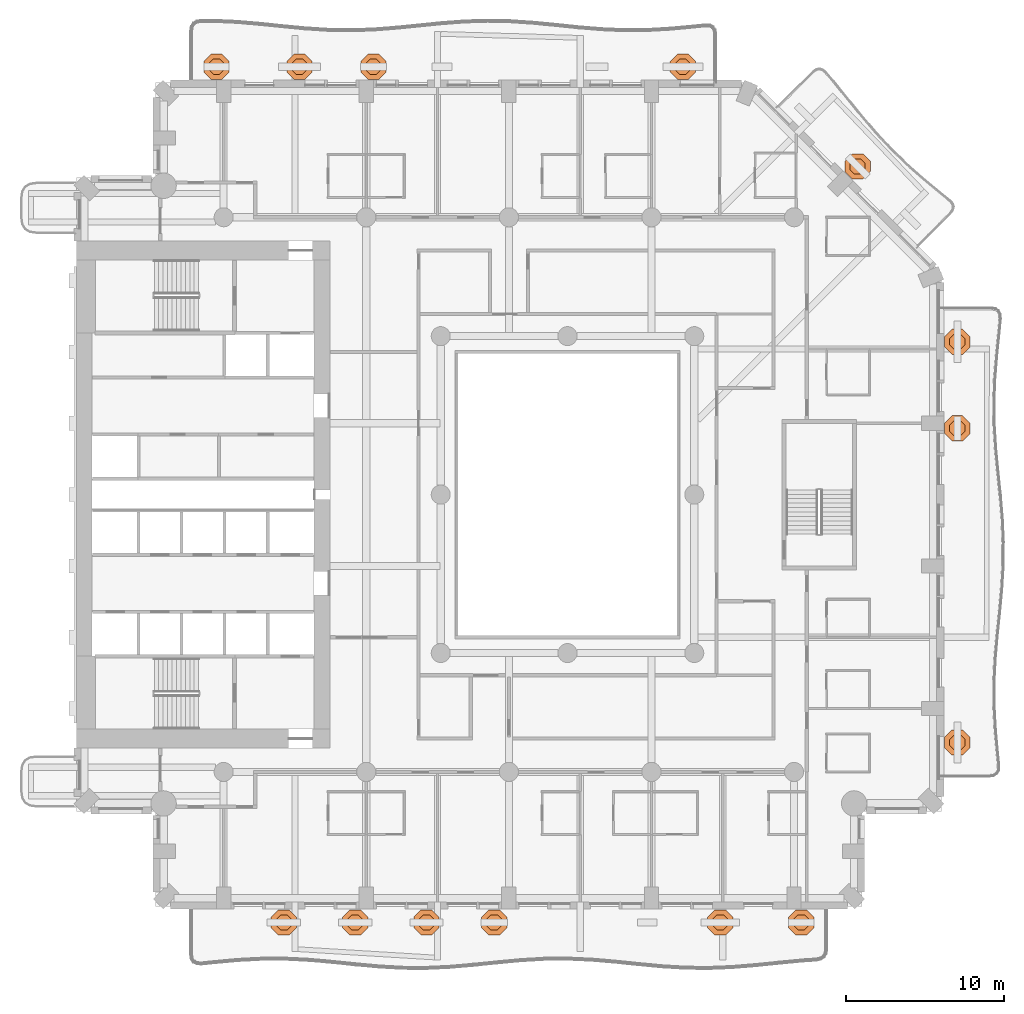
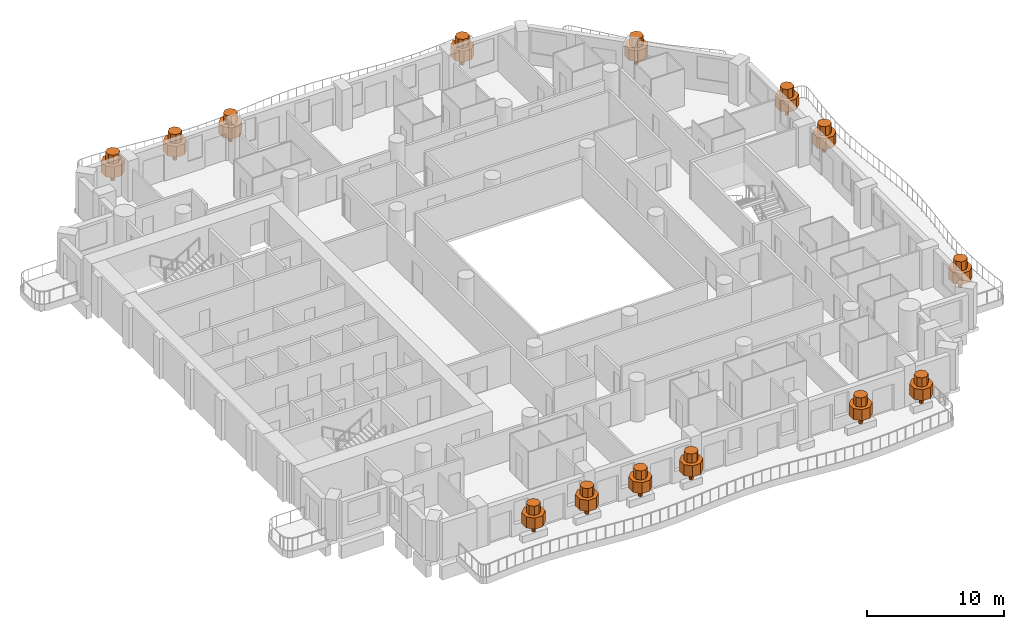
# One storey, part 20 of 20: 14 geographic elements.
"""IFC4 building model written with IfcOpenShell, lengths in metres."""

from ifc_helpers import new_model, si_unit, direction, frame, origin, place, context, subcontext, project, spatial, polyline, outline, extrude, material, type_object, element, save


model = new_model("IFC4")

# Units and contexts
model_context = context("Model", 3, precision=1e-05, world=origin(), true_north=direction((0.0, 1.0)))
body_context = subcontext(model_context, "Body", "Model", "MODEL_VIEW")
ifc_project = project(units=[si_unit("LENGTHUNIT", "METRE"), si_unit("AREAUNIT", "SQUARE_METRE"), si_unit("VOLUMEUNIT", "CUBIC_METRE"), si_unit("PLANEANGLEUNIT", "RADIAN"), si_unit("MASSUNIT", "GRAM", prefix="KILO")], contexts=[model_context])

# Site, building, storey
site_placement = place(None, origin())
site = spatial("IfcSite", under=ifc_project, at=site_placement, CompositionType="ELEMENT")
building_placement = place(site_placement, origin())
building = spatial("IfcBuilding", under=site, at=building_placement, Name="Cypress Arch Tower", CompositionType="ELEMENT")
storey_placement = place(building_placement, frame((0.0, 0.0, 59.10009765625)))
storey = spatial("IfcBuildingStorey", under=building, at=storey_placement, Name="L08", CompositionType="ELEMENT", Elevation=59.10009765625)

# Geographic elements
ifc_material = material(Name="Foliage and planting")
geographic_element_type = type_object("IfcGeographicElementType", Name="Balcony tree TR", PredefinedType="USERDEFINED", material=ifc_material)
for number, where, z_axis, x_axis, name in (
    (1, (-16.89990234375, -27.0, 0.599853515625), (0.0, 0.0, 1.0), (1.0, 0.0, 0.0), "Balcony tree L08-A03.1"),
    (2, (-12.39990234375, -27.0, 0.599853515625), (0.0, 0.0, 1.0), (1.0, 0.0, 0.0), "Balcony tree L08-A03.2"),
    (3, (-7.89990234375, -27.0, 0.599853515625), (0.0, 0.0, 1.0), (1.0, 0.0, 0.0), "Balcony tree L08-A03.3"),
    (4, (-3.625, -27.0, 0.599853515625), (0.0, 0.0, 1.0), (1.0, 0.0, 0.0), "Balcony tree L08-A03.4"),
    (5, (10.639892578125, -27.0, 0.599853515625), (0.0, 0.0, 1.0), (1.0, 0.0, 0.0), "Balcony tree L08-A03.6"),
    (6, (15.75, -27.0, 0.599853515625), (0.0, 0.0, 1.0), (1.0, 0.0, 0.0), "Balcony tree L08-A03.7"),
    (7, (25.60009765625, -15.642822265625, 0.599853515625), (0.0, 0.0, 1.0), (1.0, 0.0, 0.0), "Balcony tree L08-A06.1"),
    (8, (25.60009765625, 4.1826171875, 0.599853515625), (0.0, 0.0, 1.0), (1.0, 0.0, 0.0), "Balcony tree L08-A06.2"),
    (9, (25.60009765625, 9.642822265625, 0.599853515625), (0.0, 0.0, 1.0), (1.0, 0.0, 0.0), "Balcony tree L08-A06.3"),
    (10, (19.30712890625, 20.70703125, 0.599853515625), (0.0, 0.0, 1.0), (1.0, 0.0, 0.0), "Balcony tree L08-A07.2"),
    (11, (8.28125, 27.0, 0.599853515625), (0.0, 0.0, 1.0), (1.0, 0.0, 0.0), "Balcony tree L08-A08.1"),
    (12, (-11.24365234375, 27.0, 0.599853515625), (0.0, 0.0, 1.0), (1.0, 0.0, 0.0), "Balcony tree L08-A08.4"),
    (13, (-15.91259765625, 27.0, 0.599853515625), (0.0, 0.0, 1.0), (1.0, 0.0, 0.0), "Balcony tree L08-A08.5"),
    (14, (-21.14990234375, 27.0, 0.599853515625), (0.0, 0.0, 1.0), (1.0, 0.0, 0.0), "Balcony tree L08-A08.6"),
):
    element("IfcGeographicElement", number, at=place(storey_placement, frame(where, z_axis=z_axis, x_axis=x_axis)), inside=storey, type_object=geographic_element_type, Name=name, ObjectType="TREE", PredefinedType="USERDEFINED", context=body_context, shape_type="SweptSolid", body=[
        extrude(outline(polyline([(0.14990234375, 0.06201171875), (0.06201171875, 0.14990234375), (-0.06201171875, 0.14990234375), (-0.14990234375, 0.06201171875), (-0.14990234375, -0.06201171875), (-0.06201171875, -0.14990234375), (0.06201171875, -0.14990234375), (0.14990234375, -0.06201171875), (0.14990234375, 0.06201171875)])), origin(), (0.0, 0.0, 1.0), 0.864990234375),
        extrude(outline(polyline([(0.800048828125, 0.331298828125), (0.331298828125, 0.800048828125), (-0.331298828125, 0.800048828125), (-0.800048828125, 0.331298828125), (-0.800048828125, -0.331298828125), (-0.331298828125, -0.800048828125), (0.331298828125, -0.800048828125), (0.800048828125, -0.331298828125), (0.800048828125, 0.331298828125)])), frame((0.0, 0.0, 0.764892578125)), (0.0, 0.0, 1.0), 0.981689453125),
        extrude(outline(polyline([(0.47998046875, 0.19873046875), (0.19873046875, 0.47998046875), (-0.19873046875, 0.47998046875), (-0.47998046875, 0.19873046875), (-0.47998046875, -0.19873046875), (-0.19873046875, -0.47998046875), (0.19873046875, -0.47998046875), (0.47998046875, -0.19873046875), (0.47998046875, 0.19873046875)])), frame((0.0, 0.0, 1.746826171875)), (0.0, 0.0, 1.0), 0.80322265625),
    ])

save(model, "model.ifc")
